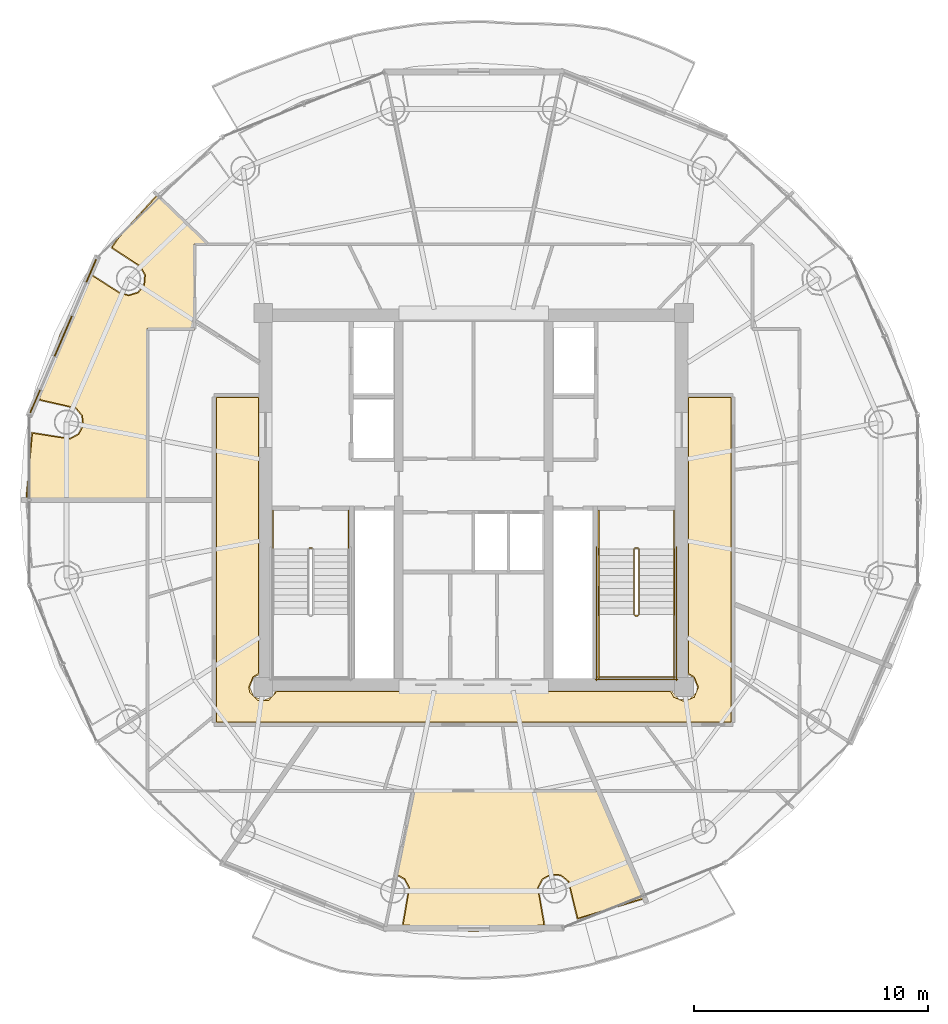
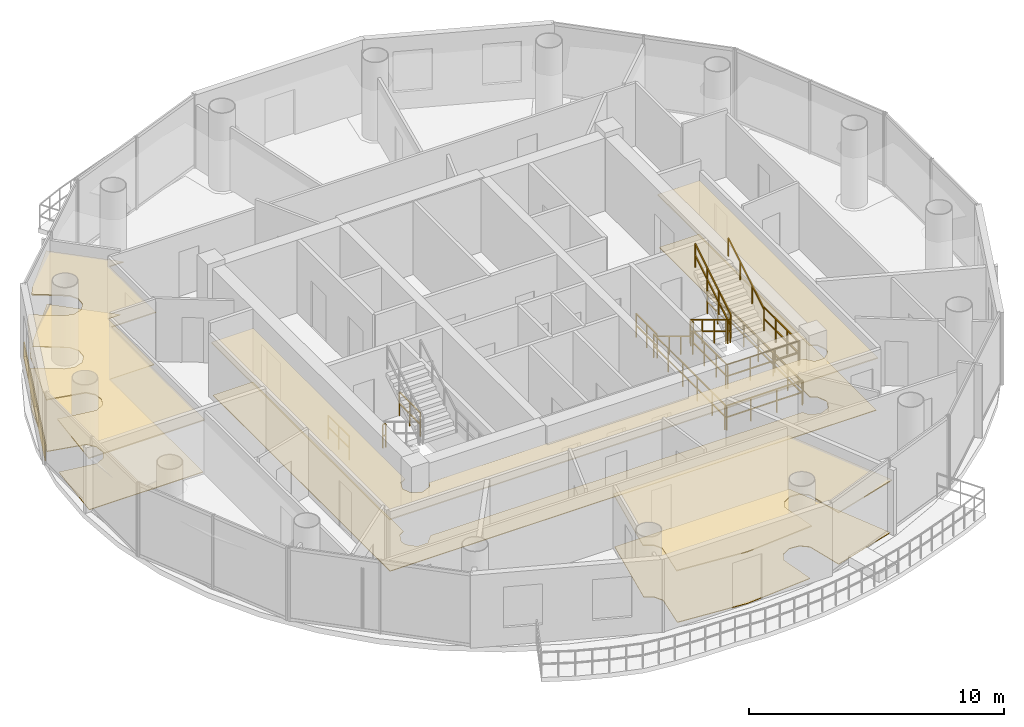
# One storey, part 23 of 24: 17 railings, 7 coverings.
"""IFC4 building model written with IfcOpenShell, lengths in metres."""

from ifc_helpers import new_model, si_unit, direction, frame, origin, origin_2d, place, context, subcontext, project, spatial, polyline, rectangle, outline, extrude, source, transform, mapped, material, layer, layer_set, type_object, element, save


model = new_model("IFC4")

# Units and contexts
model_context = context("Model", 3, precision=1e-05, world=origin(), true_north=direction((-0.2419218956, 0.970295726276)))
body_context = subcontext(model_context, "Body", "Model", "MODEL_VIEW")
ifc_project = project(units=[si_unit("LENGTHUNIT", "METRE"), si_unit("AREAUNIT", "SQUARE_METRE"), si_unit("VOLUMEUNIT", "CUBIC_METRE"), si_unit("PLANEANGLEUNIT", "RADIAN"), si_unit("MASSUNIT", "GRAM", prefix="KILO")], contexts=[model_context])

# Site, building, storey
site_placement = place(None, origin())
site = spatial("IfcSite", under=ifc_project, at=site_placement, CompositionType="ELEMENT")
building_placement = place(site_placement, origin())
building = spatial("IfcBuilding", under=site, at=building_placement, Name="Cobrevalo Terracotta Tower", CompositionType="ELEMENT")
storey_placement = place(building_placement, frame((0.0, 0.0, 270.699951171875)))
storey = spatial("IfcBuildingStorey", under=building, at=storey_placement, Name="L71", CompositionType="ELEMENT", Elevation=270.699951171875)

# Coverings
ifc_material_1 = material(Name="Engineered Brazilian hardwood flooring", Category="wood")
ifc_layer_1 = layer(ifc_material_1, 0.028076171875)
ifc_layer_set_1 = layer_set([ifc_layer_1], Name="Engineered Brazilian hardwood flooring")
covering_type_1 = type_object("IfcCoveringType", Name="Engineered Hardwood Suite Flooring 28", PredefinedType="FLOORING", material=ifc_layer_set_1)
covering_1_placement = place(storey_placement, origin())
element("IfcCovering", 1, at=covering_1_placement, inside=storey, type_object=covering_type_1, Name="Flat L71A Private Cinema Room floor finish", PredefinedType="FLOORING", context=body_context, shape_type="SweptSolid", body=[
    extrude(outline(polyline([(26.606201171875, 37.7548828125), (26.044921875, 37.7548828125), (26.044921875, 34.139892578125), (24.034912109375, 34.139892578125), (24.034912109375, 26.820068359375), (18.88134765625, 26.820068359375), (19.1357421875, 29.65087890625), (20.740966796875, 29.401611328125), (21.118408203125, 29.60693359375), (21.318115234375, 29.9873046875), (21.272705078125, 30.41455078125), (20.99755859375, 30.74462890625), (19.43505859375, 31.1005859375), (20.33544921875, 33.848876953125), (21.44140625, 36.009765625), (21.699951171875, 36.382568359375), (22.842529296875, 35.649169921875), (23.255126953125, 35.532470703125), (23.663818359375, 35.664794921875), (23.93017578125, 36.001953125), (23.964599609375, 36.43017578125), (23.7548828125, 36.805419921875), (22.5439453125, 37.599365234375), (22.830810546875, 38.01318359375), (24.47021484375, 39.81396484375), (26.606201171875, 37.7548828125)])), origin(), (0.0, 0.0, 1.0), 0.030029296875),
])
covering_2_placement = place(storey_placement, origin())
element("IfcCovering", 2, at=covering_2_placement, inside=storey, type_object=covering_type_1, Name="Flat L71C Master Bedroom floor finish", PredefinedType="FLOORING", context=body_context, shape_type="SweptSolid", body=[
    extrude(outline(polyline([(38.0, 8.380126953125), (34.994140625, 8.635498046875), (35.26416015625, 10.21630859375), (35.064453125, 10.596923828125), (34.71728515625, 10.79296875), (35.4482421875, 14.3349609375), (43.334716796875, 14.3349609375), (45.294189453125, 9.77490234375), (42.45947265625, 8.9140625), (42.074951171875, 10.49365234375), (41.74072265625, 10.763671875), (41.312744140625, 10.80224609375), (40.935546875, 10.596923828125), (40.73583984375, 10.21630859375), (41.005859375, 8.635498046875), (38.0, 8.380126953125)])), origin(), (0.0, 0.0, 1.0), 0.030029296875),
])
ifc_material_2 = material(Name="Honed terracotta and granite tile", Category="masonry")
ifc_layer_2 = layer(ifc_material_2, 0.034912109375)
ifc_layer_set_2 = layer_set([ifc_layer_2], Name="Honed terracotta and granite tile")
covering_type_2 = type_object("IfcCoveringType", Name="Honed Terracotta & Granite Interior Flooring 35", PredefinedType="FLOORING", material=ifc_layer_set_2)
covering_3_placement = place(storey_placement, origin())
element("IfcCovering", 3, at=covering_3_placement, inside=storey, type_object=covering_type_2, Name="L71 Residential Floor Corridor floor finish", PredefinedType="FLOORING", context=body_context, shape_type="SweptSolid", body=[
    extrude(outline(polyline([(26.9951171875, 31.179931640625), (28.804931640625, 31.179931640625), (28.804931640625, 19.381591796875), (28.561279296875, 19.23876953125), (28.379638671875, 18.800048828125), (28.4267578125, 18.5625), (28.7626953125, 18.226806640625), (29.2373046875, 18.226806640625), (29.58154296875, 18.60498046875), (46.41845703125, 18.60498046875), (46.561279296875, 18.361328125), (47.0, 18.1796875), (47.438720703125, 18.361328125), (47.620361328125, 18.800048828125), (47.438720703125, 19.23876953125), (47.195068359375, 19.381591796875), (47.195068359375, 31.179931640625), (49.0048828125, 31.179931640625), (49.0048828125, 17.294921875), (26.9951171875, 17.294921875), (26.9951171875, 31.179931640625)])), origin(), (0.0, 0.0, 1.0), 0.030029296875),
])
ifc_material_3 = material(Name="Acoustic perforated gypsum ceiling", Category="gypsum")
ifc_layer_3 = layer(ifc_material_3, 0.050048828125)
ifc_layer_set_3 = layer_set([ifc_layer_3], Name="Acoustic perforated gypsum ceiling")
covering_type_3 = type_object("IfcCoveringType", Name="Perforated Acoustic Gypsum Ceiling 50", PredefinedType="CEILING", material=ifc_layer_set_3)
covering_4_placement = place(storey_placement, frame((0.0, 0.0, 2.5)))
element("IfcCovering", 4, at=covering_4_placement, inside=storey, type_object=covering_type_3, Name="L71 Residential Floor Corridor acoustic ceiling", PredefinedType="CEILING", context=body_context, shape_type="SweptSolid", body=[
    extrude(outline(polyline([(26.949951171875, 31.22509765625), (28.85009765625, 31.22509765625), (28.85009765625, 19.3447265625), (28.59375, 19.206298828125), (28.425537109375, 18.800048828125), (28.59375, 18.393798828125), (29.0, 18.2255859375), (29.40625, 18.393798828125), (29.544677734375, 18.64990234375), (46.455322265625, 18.64990234375), (46.780029296875, 18.269287109375), (47.219970703125, 18.269287109375), (47.53076171875, 18.580078125), (47.574462890625, 18.800048828125), (47.40625, 19.206298828125), (47.14990234375, 19.3447265625), (47.14990234375, 31.22509765625), (49.050048828125, 31.22509765625), (49.050048828125, 17.25), (26.949951171875, 17.25), (26.949951171875, 31.22509765625)])), origin(), (0.0, 0.0, 1.0), 0.050048828125),
])
covering_5_placement = place(storey_placement, frame((0.0, 0.0, 2.5)))
element("IfcCovering", 5, at=covering_5_placement, inside=storey, type_object=covering_type_3, Name="Flat L71A Private Cinema Room acoustic ceiling", PredefinedType="CEILING", context=body_context, shape_type="SweptSolid", body=[
    extrude(outline(polyline([(26.717529296875, 37.7099609375), (26.090087890625, 37.7099609375), (26.090087890625, 34.094970703125), (24.080078125, 34.094970703125), (24.080078125, 26.77490234375), (18.833251953125, 26.77490234375), (19.100830078125, 29.703369140625), (20.731689453125, 29.44580078125), (21.086181640625, 29.638671875), (21.273681640625, 29.995849609375), (21.23095703125, 30.39697265625), (20.97265625, 30.70703125), (19.3818359375, 31.06494140625), (20.2939453125, 33.86669921875), (21.40283203125, 36.032958984375), (21.687744140625, 36.44384765625), (22.864990234375, 35.688232421875), (23.254150390625, 35.57763671875), (23.637939453125, 35.701904296875), (23.88818359375, 36.0185546875), (23.92041015625, 36.420654296875), (23.7236328125, 36.772705078125), (22.48046875, 37.586669921875), (22.795654296875, 38.041259765625), (24.468017578125, 39.87841796875), (26.717529296875, 37.7099609375)])), origin(), (0.0, 0.0, 1.0), 0.050048828125),
])
covering_6_placement = place(storey_placement, frame((0.0, 0.0, 2.5)))
element("IfcCovering", 6, at=covering_6_placement, inside=storey, type_object=covering_type_3, Name="Flat L71C Master Bedroom acoustic ceiling", PredefinedType="CEILING", context=body_context, shape_type="SweptSolid", body=[
    extrude(outline(polyline([(38.0, 8.3349609375), (34.94091796875, 8.599853515625), (35.2197265625, 10.207763671875), (35.0322265625, 10.565185546875), (34.6650390625, 10.76220703125), (35.41162109375, 14.3798828125), (43.3642578125, 14.3798828125), (45.35498046875, 9.747314453125), (42.424560546875, 8.861328125), (42.03759765625, 10.46826171875), (41.7236328125, 10.7216796875), (41.322021484375, 10.758056640625), (40.9677734375, 10.565185546875), (40.7802734375, 10.207763671875), (41.05908203125, 8.599853515625), (38.0, 8.3349609375)])), origin(), (0.0, 0.0, 1.0), 0.050048828125),
])

# Railings
ifc_material_4 = material(Name="Brushed stainless steel", Category="steel")
railing_type_1 = type_object("IfcRailingType", Name="Stainless Steel Stair Handrail 900", PredefinedType="HANDRAIL", material=ifc_material_4)
railing_1_placement = place(storey_placement, frame((43.35498046875, 24.699951171875, 0.17041015625)))
element("IfcRailing", 7, at=railing_1_placement, inside=storey, type_object=railing_type_1, Name="L71 ST-2 stair handrail 1", PredefinedType="HANDRAIL", context=body_context, shape_type="SweptSolid", body=[
    extrude(rectangle(XDim=0.048095703125, YDim=0.048095703125, at=origin_2d()), frame((0.0, 0.0, 0.8759765625), z_axis=(0.0, -0.854169791009, 0.51999420009), x_axis=(1.0, 0.0, 0.0)), (0.0, 0.0, 1.0), 3.278076171875),
    extrude(rectangle(XDim=0.0419921875, YDim=0.0419921875, at=origin_2d()), origin(), (0.0, 0.0, 1.0), 0.851806640625),
    extrude(rectangle(XDim=0.0419921875, YDim=0.0419921875, at=origin_2d()), frame((0.0, -0.933349609375, 0.568115234375)), (0.0, 0.0, 1.0), 0.851806640625),
    extrude(rectangle(XDim=0.0419921875, YDim=0.0419921875, at=origin_2d()), frame((0.0, -1.86669921875, 1.136474609375)), (0.0, 0.0, 1.0), 0.851806640625),
    extrude(rectangle(XDim=0.0419921875, YDim=0.0419921875, at=origin_2d()), frame((0.0, -2.800048828125, 1.70458984375)), (0.0, 0.0, 1.0), 0.851806640625),
])
railing_2_placement = place(storey_placement, frame((46.574951171875, 21.89990234375, 2.04541015625)))
element("IfcRailing", 8, at=railing_2_placement, inside=storey, type_object=railing_type_1, Name="L71 ST-2 stair handrail 2", PredefinedType="HANDRAIL", context=body_context, shape_type="SweptSolid", body=[
    extrude(rectangle(XDim=0.048095703125, YDim=0.048095703125, at=origin_2d()), frame((0.0, 0.0, 0.8759765625), z_axis=(0.0, 0.854169791009, 0.51999420009), x_axis=(-1.0, 0.0, 0.0)), (0.0, 0.0, 1.0), 3.278076171875),
    extrude(rectangle(XDim=0.0419921875, YDim=0.0419921875, at=origin_2d()), origin(), (0.0, 0.0, 1.0), 0.851806640625),
    extrude(rectangle(XDim=0.0419921875, YDim=0.0419921875, at=origin_2d()), frame((0.0, 0.933349609375, 0.568115234375)), (0.0, 0.0, 1.0), 0.851806640625),
    extrude(rectangle(XDim=0.0419921875, YDim=0.0419921875, at=origin_2d()), frame((0.0, 1.86669921875, 1.136474609375)), (0.0, 0.0, 1.0), 0.851806640625),
    extrude(rectangle(XDim=0.0419921875, YDim=0.0419921875, at=origin_2d()), frame((0.0, 2.800048828125, 1.70458984375)), (0.0, 0.0, 1.0), 0.851806640625),
])
ifc_material_5 = material(Name="Painted galvanized steel", Category="steel")
railing_type_2 = type_object("IfcRailingType", Name="Stair Well Guard Balustrade 1150", PredefinedType="GUARDRAIL", material=ifc_material_5)
railing_3_placement = place(storey_placement, frame((30.97509765625, 24.75, 0.0)))
element("IfcRailing", 9, at=railing_3_placement, inside=storey, type_object=railing_type_2, Name="L71 ST-1 stair guard 7", PredefinedType="GUARDRAIL", context=body_context, shape_type="SweptSolid", body=[
    extrude(rectangle(XDim=0.048095703125, YDim=0.048095703125, at=origin_2d()), frame((0.0, 0.0, 1.1259765625), z_axis=(1.0, 0.0, 0.0), x_axis=(0.0, 1.0, 0.0)), (0.0, 0.0, 1.0), 0.119873046875),
    extrude(rectangle(XDim=0.048095703125, YDim=0.048095703125, at=origin_2d()), frame((0.0, 0.0, 0.574951171875), z_axis=(1.0, 0.0, 0.0), x_axis=(0.0, 1.0, 0.0)), (0.0, 0.0, 1.0), 0.119873046875),
    extrude(rectangle(XDim=0.0419921875, YDim=0.0419921875, at=origin_2d()), origin(), (0.0, 0.0, 1.0), 1.101806640625),
    extrude(rectangle(XDim=0.0419921875, YDim=0.0419921875, at=origin_2d()), frame((0.119873046875, 0.0, 0.0)), (0.0, 0.0, 1.0), 1.101806640625),
])
for number, where, name in (
    (10, (29.425048828125, 26.35009765625, 0.0), "L71 ST-1 stair guard 8"),
    (11, (32.64501953125, 26.35009765625, 0.0), "L71 ST-1 stair guard 9"),
):
    element("IfcRailing", number, at=place(storey_placement, frame(where)), inside=storey, type_object=railing_type_2, Name=name, PredefinedType="GUARDRAIL", context=body_context, shape_type="SweptSolid", body=[
        extrude(rectangle(XDim=0.048095703125, YDim=0.048095703125, at=origin_2d()), frame((0.0, 0.0, 1.1259765625), z_axis=(0.0, -1.0, 0.0), x_axis=(1.0, 0.0, 0.0)), (0.0, 0.0, 1.0), 1.650146484375),
        extrude(rectangle(XDim=0.048095703125, YDim=0.048095703125, at=origin_2d()), frame((0.0, 0.0, 0.574951171875), z_axis=(0.0, -1.0, 0.0), x_axis=(1.0, 0.0, 0.0)), (0.0, 0.0, 1.0), 1.650146484375),
        extrude(rectangle(XDim=0.0419921875, YDim=0.0419921875, at=origin_2d()), origin(), (0.0, 0.0, 1.0), 1.101806640625),
        extrude(rectangle(XDim=0.0419921875, YDim=0.0419921875, at=origin_2d()), frame((0.0, -0.8251953125, 0.0)), (0.0, 0.0, 1.0), 1.101806640625),
        extrude(rectangle(XDim=0.0419921875, YDim=0.0419921875, at=origin_2d()), frame((0.0, -1.650146484375, 0.0)), (0.0, 0.0, 1.0), 1.101806640625),
    ])
railing_4_placement = place(storey_placement, frame((44.85498046875, 24.699951171875, 0.17041015625)))
element("IfcRailing", 12, at=railing_4_placement, inside=storey, type_object=railing_type_2, Name="L71 ST-2 stair guard 1", PredefinedType="GUARDRAIL", context=body_context, shape_type="SweptSolid", body=[
    extrude(rectangle(XDim=0.048095703125, YDim=0.048095703125, at=origin_2d()), frame((0.0, 0.0, 1.1259765625), z_axis=(0.0, -0.854169791009, 0.51999420009), x_axis=(1.0, 0.0, 0.0)), (0.0, 0.0, 1.0), 3.278076171875),
    extrude(rectangle(XDim=0.048095703125, YDim=0.048095703125, at=origin_2d()), frame((0.0, 0.0, 0.574951171875), z_axis=(0.0, -0.854169791009, 0.51999420009), x_axis=(1.0, 0.0, 0.0)), (0.0, 0.0, 1.0), 3.278076171875),
    extrude(rectangle(XDim=0.0419921875, YDim=0.0419921875, at=origin_2d()), origin(), (0.0, 0.0, 1.0), 1.101806640625),
    extrude(rectangle(XDim=0.0419921875, YDim=0.0419921875, at=origin_2d()), frame((0.0, -0.933349609375, 0.568115234375)), (0.0, 0.0, 1.0), 1.101806640625),
    extrude(rectangle(XDim=0.0419921875, YDim=0.0419921875, at=origin_2d()), frame((0.0, -1.86669921875, 1.136474609375)), (0.0, 0.0, 1.0), 1.101806640625),
    extrude(rectangle(XDim=0.0419921875, YDim=0.0419921875, at=origin_2d()), frame((0.0, -2.800048828125, 1.70458984375)), (0.0, 0.0, 1.0), 1.101806640625),
])
railing_5_placement = place(storey_placement, frame((44.905029296875, 21.85009765625, 1.875)))
element("IfcRailing", 13, at=railing_5_placement, inside=storey, type_object=railing_type_2, Name="L71 ST-2 stair guard 2", PredefinedType="GUARDRAIL", context=body_context, shape_type="SweptSolid", body=[
    extrude(rectangle(XDim=0.048095703125, YDim=0.048095703125, at=origin_2d()), frame((0.0, 0.0, 1.1259765625), z_axis=(1.0, 0.0, 0.0), x_axis=(0.0, 1.0, 0.0)), (0.0, 0.0, 1.0), 0.119873046875),
    extrude(rectangle(XDim=0.048095703125, YDim=0.048095703125, at=origin_2d()), frame((0.0, 0.0, 0.574951171875), z_axis=(1.0, 0.0, 0.0), x_axis=(0.0, 1.0, 0.0)), (0.0, 0.0, 1.0), 0.119873046875),
    extrude(rectangle(XDim=0.0419921875, YDim=0.0419921875, at=origin_2d()), origin(), (0.0, 0.0, 1.0), 1.101806640625),
    extrude(rectangle(XDim=0.0419921875, YDim=0.0419921875, at=origin_2d()), frame((0.119873046875, 0.0, 0.0)), (0.0, 0.0, 1.0), 1.101806640625),
])
for number, where, name in (
    (14, (43.35498046875, 21.89990234375, 1.875), "L71 ST-2 stair guard 3"),
    (15, (46.574951171875, 21.89990234375, 1.875), "L71 ST-2 stair guard 4"),
):
    element("IfcRailing", number, at=place(storey_placement, frame(where)), inside=storey, type_object=railing_type_2, Name=name, PredefinedType="GUARDRAIL", context=body_context, shape_type="SweptSolid", body=[
        extrude(rectangle(XDim=0.048095703125, YDim=0.048095703125, at=origin_2d()), frame((0.0, 0.0, 1.1259765625), z_axis=(0.0, -1.0, 0.0), x_axis=(1.0, 0.0, 0.0)), (0.0, 0.0, 1.0), 2.724853515625),
        extrude(rectangle(XDim=0.048095703125, YDim=0.048095703125, at=origin_2d()), frame((0.0, 0.0, 0.574951171875), z_axis=(0.0, -1.0, 0.0), x_axis=(1.0, 0.0, 0.0)), (0.0, 0.0, 1.0), 2.724853515625),
        extrude(rectangle(XDim=0.0419921875, YDim=0.0419921875, at=origin_2d()), origin(), (0.0, 0.0, 1.0), 1.101806640625),
        extrude(rectangle(XDim=0.0419921875, YDim=0.0419921875, at=origin_2d()), frame((0.0, -0.908203125, 0.0)), (0.0, 0.0, 1.0), 1.101806640625),
        extrude(rectangle(XDim=0.0419921875, YDim=0.0419921875, at=origin_2d()), frame((0.0, -1.816650390625, 0.0)), (0.0, 0.0, 1.0), 1.101806640625),
        extrude(rectangle(XDim=0.0419921875, YDim=0.0419921875, at=origin_2d()), frame((0.0, -2.724853515625, 0.0)), (0.0, 0.0, 1.0), 1.101806640625),
    ])
railing_6_placement = place(storey_placement, frame((43.304931640625, 19.22509765625, 1.875)))
element("IfcRailing", 16, at=railing_6_placement, inside=storey, type_object=railing_type_2, Name="L71 ST-2 stair guard 5", PredefinedType="GUARDRAIL", context=body_context, shape_type="SweptSolid", body=[
    extrude(rectangle(XDim=0.048095703125, YDim=0.048095703125, at=origin_2d()), frame((0.0, 0.0, 1.1259765625), z_axis=(1.0, 0.0, 0.0), x_axis=(0.0, 1.0, 0.0)), (0.0, 0.0, 1.0), 3.320068359375),
    extrude(rectangle(XDim=0.048095703125, YDim=0.048095703125, at=origin_2d()), frame((0.0, 0.0, 0.574951171875), z_axis=(1.0, 0.0, 0.0), x_axis=(0.0, 1.0, 0.0)), (0.0, 0.0, 1.0), 3.320068359375),
    extrude(rectangle(XDim=0.0419921875, YDim=0.0419921875, at=origin_2d()), origin(), (0.0, 0.0, 1.0), 1.101806640625),
    extrude(rectangle(XDim=0.0419921875, YDim=0.0419921875, at=origin_2d()), frame((1.106689453125, 0.0, 0.0)), (0.0, 0.0, 1.0), 1.101806640625),
    extrude(rectangle(XDim=0.0419921875, YDim=0.0419921875, at=origin_2d()), frame((2.21337890625, 0.0, 0.0)), (0.0, 0.0, 1.0), 1.101806640625),
    extrude(rectangle(XDim=0.0419921875, YDim=0.0419921875, at=origin_2d()), frame((3.320068359375, 0.0, 0.0)), (0.0, 0.0, 1.0), 1.101806640625),
])
railing_7_placement = place(storey_placement, frame((45.074951171875, 21.89990234375, 2.04541015625)))
element("IfcRailing", 17, at=railing_7_placement, inside=storey, type_object=railing_type_2, Name="L71 ST-2 stair guard 6", PredefinedType="GUARDRAIL", context=body_context, shape_type="SweptSolid", body=[
    extrude(rectangle(XDim=0.048095703125, YDim=0.048095703125, at=origin_2d()), frame((0.0, 0.0, 1.1259765625), z_axis=(0.0, 0.854169791009, 0.51999420009), x_axis=(-1.0, 0.0, 0.0)), (0.0, 0.0, 1.0), 3.278076171875),
    extrude(rectangle(XDim=0.048095703125, YDim=0.048095703125, at=origin_2d()), frame((0.0, 0.0, 0.574951171875), z_axis=(0.0, 0.854169791009, 0.51999420009), x_axis=(-1.0, 0.0, 0.0)), (0.0, 0.0, 1.0), 3.278076171875),
    extrude(rectangle(XDim=0.0419921875, YDim=0.0419921875, at=origin_2d()), origin(), (0.0, 0.0, 1.0), 1.101806640625),
    extrude(rectangle(XDim=0.0419921875, YDim=0.0419921875, at=origin_2d()), frame((0.0, 0.933349609375, 0.568115234375)), (0.0, 0.0, 1.0), 1.101806640625),
    extrude(rectangle(XDim=0.0419921875, YDim=0.0419921875, at=origin_2d()), frame((0.0, 1.86669921875, 1.136474609375)), (0.0, 0.0, 1.0), 1.101806640625),
    extrude(rectangle(XDim=0.0419921875, YDim=0.0419921875, at=origin_2d()), frame((0.0, 2.800048828125, 1.70458984375)), (0.0, 0.0, 1.0), 1.101806640625),
])
railing_8_placement = place(storey_placement, frame((44.905029296875, 24.75, 0.0)))
element("IfcRailing", 18, at=railing_8_placement, inside=storey, type_object=railing_type_2, Name="L71 ST-2 stair guard 7", PredefinedType="GUARDRAIL", context=body_context, shape_type="SweptSolid", body=[
    extrude(rectangle(XDim=0.048095703125, YDim=0.048095703125, at=origin_2d()), frame((0.0, 0.0, 1.1259765625), z_axis=(1.0, 0.0, 0.0), x_axis=(0.0, 1.0, 0.0)), (0.0, 0.0, 1.0), 0.119873046875),
    extrude(rectangle(XDim=0.048095703125, YDim=0.048095703125, at=origin_2d()), frame((0.0, 0.0, 0.574951171875), z_axis=(1.0, 0.0, 0.0), x_axis=(0.0, 1.0, 0.0)), (0.0, 0.0, 1.0), 0.119873046875),
    extrude(rectangle(XDim=0.0419921875, YDim=0.0419921875, at=origin_2d()), origin(), (0.0, 0.0, 1.0), 1.101806640625),
    extrude(rectangle(XDim=0.0419921875, YDim=0.0419921875, at=origin_2d()), frame((0.119873046875, 0.0, 0.0)), (0.0, 0.0, 1.0), 1.101806640625),
])
for number, where, name in (
    (19, (43.35498046875, 26.35009765625, 0.0), "L71 ST-2 stair guard 8"),
    (20, (46.574951171875, 26.35009765625, 0.0), "L71 ST-2 stair guard 9"),
):
    element("IfcRailing", number, at=place(storey_placement, frame(where)), inside=storey, type_object=railing_type_2, Name=name, PredefinedType="GUARDRAIL", context=body_context, shape_type="SweptSolid", body=[
        extrude(rectangle(XDim=0.048095703125, YDim=0.048095703125, at=origin_2d()), frame((0.0, 0.0, 1.1259765625), z_axis=(0.0, -1.0, 0.0), x_axis=(1.0, 0.0, 0.0)), (0.0, 0.0, 1.0), 1.650146484375),
        extrude(rectangle(XDim=0.048095703125, YDim=0.048095703125, at=origin_2d()), frame((0.0, 0.0, 0.574951171875), z_axis=(0.0, -1.0, 0.0), x_axis=(1.0, 0.0, 0.0)), (0.0, 0.0, 1.0), 1.650146484375),
        extrude(rectangle(XDim=0.0419921875, YDim=0.0419921875, at=origin_2d()), origin(), (0.0, 0.0, 1.0), 1.101806640625),
        extrude(rectangle(XDim=0.0419921875, YDim=0.0419921875, at=origin_2d()), frame((0.0, -0.8251953125, 0.0)), (0.0, 0.0, 1.0), 1.101806640625),
        extrude(rectangle(XDim=0.0419921875, YDim=0.0419921875, at=origin_2d()), frame((0.0, -1.650146484375, 0.0)), (0.0, 0.0, 1.0), 1.101806640625),
    ])
for number, where, name in (
    (21, (43.2548828125, 24.800048828125, 0.0), "L71 ST-2 stair guard 10"),
    (22, (46.675048828125, 24.800048828125, 0.0), "L71 ST-2 stair guard 11"),
):
    element("IfcRailing", number, at=place(storey_placement, frame(where)), inside=storey, type_object=railing_type_2, Name=name, PredefinedType="GUARDRAIL", context=body_context, shape_type="SweptSolid", body=[
        extrude(rectangle(XDim=0.048095703125, YDim=0.048095703125, at=origin_2d()), frame((0.0, 0.0, 1.1259765625), z_axis=(0.0, -1.0, 0.0), x_axis=(1.0, 0.0, 0.0)), (0.0, 0.0, 1.0), 5.72509765625),
        extrude(rectangle(XDim=0.048095703125, YDim=0.048095703125, at=origin_2d()), frame((0.0, 0.0, 0.574951171875), z_axis=(0.0, -1.0, 0.0), x_axis=(1.0, 0.0, 0.0)), (0.0, 0.0, 1.0), 5.72509765625),
        extrude(rectangle(XDim=0.0419921875, YDim=0.0419921875, at=origin_2d()), origin(), (0.0, 0.0, 1.0), 1.101806640625),
        extrude(rectangle(XDim=0.0419921875, YDim=0.0419921875, at=origin_2d()), frame((0.0, -1.14501953125, 0.0)), (0.0, 0.0, 1.0), 1.101806640625),
        extrude(rectangle(XDim=0.0419921875, YDim=0.0419921875, at=origin_2d()), frame((0.0, -2.2900390625, 0.0)), (0.0, 0.0, 1.0), 1.101806640625),
        extrude(rectangle(XDim=0.0419921875, YDim=0.0419921875, at=origin_2d()), frame((0.0, -3.43505859375, 0.0)), (0.0, 0.0, 1.0), 1.101806640625),
        extrude(rectangle(XDim=0.0419921875, YDim=0.0419921875, at=origin_2d()), frame((0.0, -4.580078125, 0.0)), (0.0, 0.0, 1.0), 1.101806640625),
        extrude(rectangle(XDim=0.0419921875, YDim=0.0419921875, at=origin_2d()), frame((0.0, -5.72509765625, 0.0)), (0.0, 0.0, 1.0), 1.101806640625),
    ])
railing_9_placement = place(storey_placement, frame((43.205078125, 19.125, 0.0)))
element("IfcRailing", 23, at=railing_9_placement, inside=storey, type_object=railing_type_2, Name="L71 ST-2 stair guard 12", PredefinedType="GUARDRAIL", context=body_context, shape_type="SweptSolid", body=[
    extrude(rectangle(XDim=0.048095703125, YDim=0.048095703125, at=origin_2d()), frame((0.0, 0.0, 1.1259765625), z_axis=(1.0, 0.0, 0.0), x_axis=(0.0, 1.0, 0.0)), (0.0, 0.0, 1.0), 3.52001953125),
    extrude(rectangle(XDim=0.048095703125, YDim=0.048095703125, at=origin_2d()), frame((0.0, 0.0, 0.574951171875), z_axis=(1.0, 0.0, 0.0), x_axis=(0.0, 1.0, 0.0)), (0.0, 0.0, 1.0), 3.52001953125),
    extrude(rectangle(XDim=0.0419921875, YDim=0.0419921875, at=origin_2d()), origin(), (0.0, 0.0, 1.0), 1.101806640625),
    extrude(rectangle(XDim=0.0419921875, YDim=0.0419921875, at=origin_2d()), frame((1.17333984375, 0.0, 0.0)), (0.0, 0.0, 1.0), 1.101806640625),
    extrude(rectangle(XDim=0.0419921875, YDim=0.0419921875, at=origin_2d()), frame((2.3466796875, 0.0, 0.0)), (0.0, 0.0, 1.0), 1.101806640625),
    extrude(rectangle(XDim=0.0419921875, YDim=0.0419921875, at=origin_2d()), frame((3.52001953125, 0.0, 0.0)), (0.0, 0.0, 1.0), 1.101806640625),
])

# Covering
ifc_material_6 = material(Name="Glazed terracotta facade cladding tile", Category="masonry")
ifc_layer_4 = layer(ifc_material_6, 0.044921875)
ifc_layer_set_4 = layer_set([ifc_layer_4], Name="Glazed terracotta facade cladding tile")
covering_type_4 = type_object("IfcCoveringType", Name="Architectural terracotta rainscreen spandrel cladding 45 mm", PredefinedType="CLADDING", material=ifc_layer_set_4)
shared_shape = source(origin(), body_context, "Body", "SweptSolid", [
    extrude(rectangle(XDim=7.125244140625, YDim=0.044921875, at=origin_2d()), origin(), (0.0, 0.0, 1.0), 0.760009765625),
])
covering_7_placement = place(storey_placement, frame((20.4482421875, 33.807373046875, 0.0400390625), z_axis=(0.0, 0.0, 1.0), x_axis=(-0.394828845134, -0.918754691444, 0.0)))
element("IfcCovering", 24, at=covering_7_placement, inside=storey, type_object=covering_type_4, Name="L71 terracotta spandrel cladding S07", PredefinedType="CLADDING", context=body_context, shape_type="MappedRepresentation", body=[
    mapped(shared_shape, transform((0.0, 0.0, 0.0), scale=1.0)),
])

save(model, "model.ifc")
